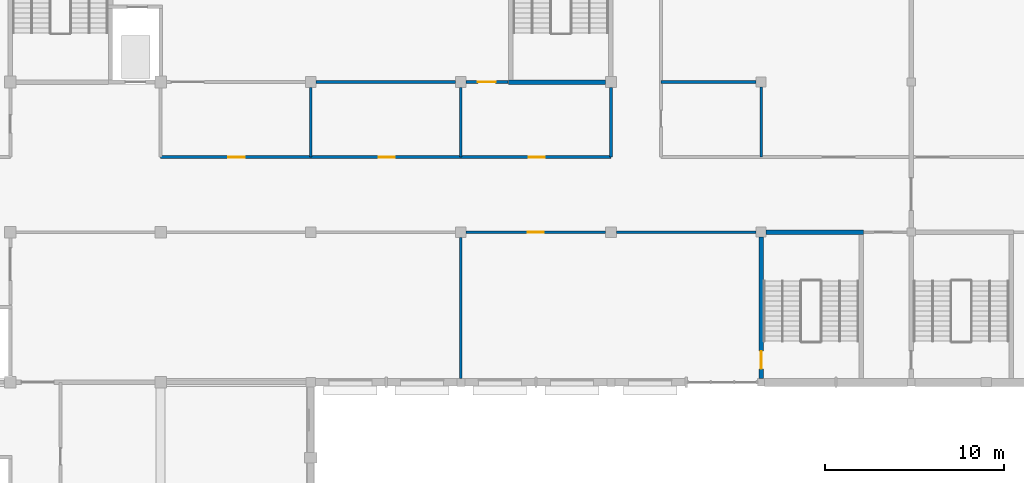
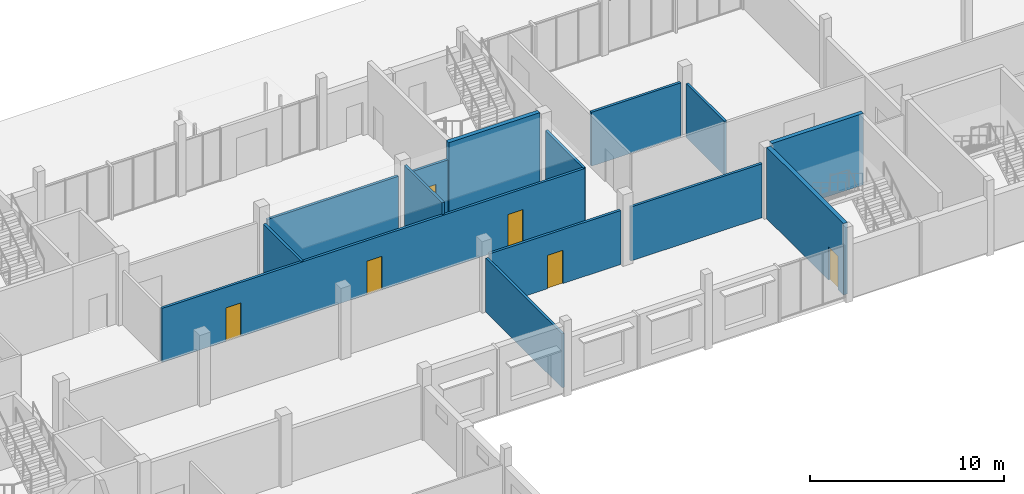
# One storey, part 80 of 101: 14 walls, 6 doors, 6 openings.
"""IFC4 building model written with IfcOpenShell, lengths in metres."""

from ifc_helpers import new_model, si_unit, direction, frame, frame_2d, origin, place, context, subcontext, project, spatial, rectangle, extrude, material, layer, layer_set, type_object, element, fill, save


model = new_model("IFC4")

# Units and contexts
model_context = context("Model", 3, precision=1e-05, world=origin(), true_north=direction((0.0, 1.0)))
body_context = subcontext(model_context, "Body", "Model", "MODEL_VIEW")
ifc_project = project(units=[si_unit("LENGTHUNIT", "METRE"), si_unit("AREAUNIT", "SQUARE_METRE"), si_unit("VOLUMEUNIT", "CUBIC_METRE"), si_unit("PLANEANGLEUNIT", "RADIAN"), si_unit("MASSUNIT", "GRAM", prefix="KILO")], contexts=[model_context])

# Site, building, storey
site_placement = place(None, origin())
site = spatial("IfcSite", under=ifc_project, at=site_placement, CompositionType="ELEMENT")
building_placement = place(site_placement, origin())
building = spatial("IfcBuilding", under=site, at=building_placement, Name="Fescue Hill Polytechnic", CompositionType="ELEMENT")
storey_placement = place(building_placement, frame((0.0, 0.0, 9.0)))
storey = spatial("IfcBuildingStorey", under=building, at=storey_placement, Name="L02", CompositionType="ELEMENT", Elevation=9.0)

# Walls
ifc_material_1 = material(Name="Concrete 40 MPa", Category="concrete")
ifc_layer_1 = layer(ifc_material_1, 0.25)
ifc_layer_set_1 = layer_set([ifc_layer_1], Name="Concrete 40 MPa")
wall_type_1 = type_object("IfcWallType", Name="Core wall 250", PredefinedType="SHEAR", material=ifc_layer_set_1)
wall_1_placement = place(storey_placement, frame((36.27490234375, 126.0, 0.0), z_axis=(0.0, 0.0, 1.0), x_axis=(1.0, 0.0, 0.0)))
element("IfcWall", 1, at=wall_1_placement, inside=storey, type_object=wall_type_1, Name="CW-L02-ST-V5-2-11", PredefinedType="SHEAR", context=body_context, shape_type="SweptSolid", body=[
    extrude(rectangle(XDim=5.425048828125, YDim=0.25, at=frame_2d((2.71240234375, 0.0))), origin(), (0.0, 0.0, 1.0), 4.5),
])
wall_2_placement = place(storey_placement, frame((50.675048828125, 117.60009765625, 0.0), z_axis=(0.0, 0.0, 1.0), x_axis=(1.0, 0.0, 0.0)))
element("IfcWall", 2, at=wall_2_placement, inside=storey, type_object=wall_type_1, Name="CW-L02-ST-V5-4-21", PredefinedType="SHEAR", context=body_context, shape_type="SweptSolid", body=[
    extrude(rectangle(XDim=5.449951171875, YDim=0.25, at=frame_2d((2.72509765625, 0.0))), origin(), (0.0, 0.0, 1.0), 4.5),
])

# Wall, opening, door
wall_3_placement = place(storey_placement, frame((50.39990234375, 109.39990234375, 0.0), z_axis=(0.0, 0.0, 1.0), x_axis=(0.0, 1.0, 0.0)))
wall_3 = element("IfcWall", 3, at=wall_3_placement, inside=storey, type_object=wall_type_1, Name="CW-L02-ST-V5-4-31", PredefinedType="SHEAR", context=body_context, shape_type="SweptSolid", body=[
    extrude(rectangle(XDim=7.925048828125, YDim=0.25, at=frame_2d((3.96240234375, 0.0))), origin(), (0.0, 0.0, 1.0), 4.5),
])
opening_1_placement = place(wall_3_placement, frame((0.550048828125, 0.0, 0.0)))
opening_1 = element("IfcOpeningElement", 4, at=opening_1_placement, cuts=wall_3, Name="Opening D2094", PredefinedType="OPENING", context=body_context, shape_type="SweptSolid", body=[
    extrude(rectangle(XDim=1.0, YDim=2.10009765625, at=frame_2d((0.5, 1.050048828125))), frame((0.0, 0.135009765625, 0.0), z_axis=(0.0, -1.0, 0.0), x_axis=(1.0, 0.0, 0.0)), (0.0, 0.0, 1.0), 0.27001953125),
])
ifc_material_2 = material(Name="Steel fire door", Category="steel")
door_type_1 = type_object("IfcDoorType", Name="Door single swing 1000x2100 stair fire rated", OperationType="NOTDEFINED", PredefinedType="DOOR", material=ifc_material_2)
door_1_placement = place(opening_1_placement, origin())
door_1 = element("IfcDoor", 5, at=door_1_placement, inside=storey, type_object=door_type_1, Name="L02 ST-V5-4 stair door", OperationType="SINGLE_SWING_LEFT", OverallHeight=2.10009765625, OverallWidth=1.0, PredefinedType="DOOR", context=body_context, shape_type="SweptSolid", body=[
    extrude(rectangle(XDim=1.0, YDim=2.10009765625, at=frame_2d((0.5, 1.050048828125))), frame((0.0, 0.02490234375, 0.0), z_axis=(0.0, -1.0, 0.0), x_axis=(1.0, 0.0, 0.0)), (0.0, 0.0, 1.0), 0.050048828125),
])
fill(opening_1, door_1)

ifc_material_3 = material(Name="Gypsum board partition")
ifc_layer_2 = layer(ifc_material_3, 0.14990234375)
ifc_layer_set_2 = layer_set([ifc_layer_2], Name="Gypsum board partition")
wall_type_2 = type_object("IfcWallType", Name="Corridor wall 150 EI 45", PredefinedType="PARTITIONING", material=ifc_layer_set_2)
wall_4_placement = place(storey_placement, frame((33.89990234375, 117.60009765625, 0.0), z_axis=(0.0, 0.0, 1.0), x_axis=(1.0, 0.0, 0.0)))
wall_4 = element("IfcWall", 6, at=wall_4_placement, inside=storey, type_object=wall_type_2, Name="IW-L02-056", PredefinedType="PARTITIONING", context=body_context, shape_type="SweptSolid", body=[
    extrude(rectangle(XDim=7.800048828125, YDim=0.14990234375, at=frame_2d((3.89990234375, 0.0))), origin(), (0.0, 0.0, 1.0), 3.39990234375),
])
opening_2_placement = place(wall_4_placement, frame((3.449951171875, 0.0, 0.0)))
opening_2 = element("IfcOpeningElement", 7, at=opening_2_placement, cuts=wall_4, Name="Opening D2053", PredefinedType="OPENING", context=body_context, shape_type="SweptSolid", body=[
    extrude(rectangle(XDim=0.89990234375, YDim=2.10009765625, at=frame_2d((0.449951171875, 1.050048828125))), frame((0.0, 0.0849609375, 0.0), z_axis=(0.0, -1.0, 0.0), x_axis=(1.0, 0.0, 0.0)), (0.0, 0.0, 1.0), 0.169921875),
])
ifc_material_4 = material(Name="Timber", Category="wood")
door_type_2 = type_object("IfcDoorType", Name="Door single swing 900x2100 FD30S", OperationType="SINGLE_SWING_LEFT", PredefinedType="DOOR", material=ifc_material_4)
door_2_placement = place(opening_2_placement, origin())
door_2 = element("IfcDoor", 8, at=door_2_placement, inside=storey, type_object=door_type_2, Name="Door D2053", OperationType="SINGLE_SWING_LEFT", OverallHeight=2.10009765625, OverallWidth=0.89990234375, PredefinedType="DOOR", context=body_context, shape_type="SweptSolid", body=[
    extrude(rectangle(XDim=0.89990234375, YDim=2.10009765625, at=frame_2d((0.449951171875, 1.050048828125))), frame((0.0, 0.02490234375, 0.0), z_axis=(0.0, -1.0, 0.0), x_axis=(1.0, 0.0, 0.0)), (0.0, 0.0, 1.0), 0.050048828125),
])
fill(opening_2, door_2)

# Wall
wall_5_placement = place(storey_placement, frame((42.300048828125, 117.60009765625, 0.0), z_axis=(0.0, 0.0, 1.0), x_axis=(1.0, 0.0, 0.0)))
element("IfcWall", 9, at=wall_5_placement, inside=storey, type_object=wall_type_2, Name="IW-L02-057", PredefinedType="PARTITIONING", context=body_context, shape_type="SweptSolid", body=[
    extrude(rectangle(XDim=7.824951171875, YDim=0.14990234375, at=frame_2d((3.91259765625, 0.0))), origin(), (0.0, 0.0, 1.0), 3.39990234375),
])

# Wall, openings, doors
wall_6_placement = place(storey_placement, frame((16.800048828125, 121.800048828125, 0.0), z_axis=(0.0, 0.0, 1.0), x_axis=(1.0, 0.0, 0.0)))
wall_6 = element("IfcWall", 10, at=wall_6_placement, inside=storey, type_object=wall_type_2, Name="IW-L02-067", PredefinedType="PARTITIONING", context=body_context, shape_type="SweptSolid", body=[
    extrude(rectangle(XDim=25.199951171875, YDim=0.14990234375, at=frame_2d((12.60009765625, 0.0))), origin(), (0.0, 0.0, 1.0), 3.39990234375),
])
opening_3_placement = place(wall_6_placement, frame((3.800048828125, 0.0, 0.0)))
opening_3 = element("IfcOpeningElement", 11, at=opening_3_placement, cuts=wall_6, Name="Opening D2054", PredefinedType="OPENING", context=body_context, shape_type="SweptSolid", body=[
    extrude(rectangle(XDim=0.89990234375, YDim=2.10009765625, at=frame_2d((0.449951171875, 1.050048828125))), frame((0.0, 0.0849609375, 0.0), z_axis=(0.0, -1.0, 0.0), x_axis=(1.0, 0.0, 0.0)), (0.0, 0.0, 1.0), 0.169921875),
])
opening_4_placement = place(wall_6_placement, frame((12.199951171875, 0.0, 0.0)))
opening_4 = element("IfcOpeningElement", 12, at=opening_4_placement, cuts=wall_6, Name="Opening D2055", PredefinedType="OPENING", context=body_context, shape_type="SweptSolid", body=[
    extrude(rectangle(XDim=0.89990234375, YDim=2.10009765625, at=frame_2d((0.449951171875, 1.050048828125))), frame((0.0, 0.0849609375, 0.0), z_axis=(0.0, -1.0, 0.0), x_axis=(1.0, 0.0, 0.0)), (0.0, 0.0, 1.0), 0.169921875),
])
opening_5_placement = place(wall_6_placement, frame((20.60009765625, 0.0, 0.0)))
opening_5 = element("IfcOpeningElement", 13, at=opening_5_placement, cuts=wall_6, Name="Opening D2056", PredefinedType="OPENING", context=body_context, shape_type="SweptSolid", body=[
    extrude(rectangle(XDim=0.89990234375, YDim=2.10009765625, at=frame_2d((0.449951171875, 1.050048828125))), frame((0.0, 0.0849609375, 0.0), z_axis=(0.0, -1.0, 0.0), x_axis=(1.0, 0.0, 0.0)), (0.0, 0.0, 1.0), 0.169921875),
])
door_3_placement = place(opening_3_placement, origin())
door_3 = element("IfcDoor", 14, at=door_3_placement, inside=storey, type_object=door_type_2, Name="Door D2054", OperationType="SINGLE_SWING_LEFT", OverallHeight=2.10009765625, OverallWidth=0.89990234375, PredefinedType="DOOR", context=body_context, shape_type="SweptSolid", body=[
    extrude(rectangle(XDim=0.89990234375, YDim=2.10009765625, at=frame_2d((0.449951171875, 1.050048828125))), frame((0.0, 0.02490234375, 0.0), z_axis=(0.0, -1.0, 0.0), x_axis=(1.0, 0.0, 0.0)), (0.0, 0.0, 1.0), 0.050048828125),
])
fill(opening_3, door_3)
door_4_placement = place(opening_4_placement, origin())
door_4 = element("IfcDoor", 15, at=door_4_placement, inside=storey, type_object=door_type_2, Name="Door D2055", OperationType="SINGLE_SWING_RIGHT", OverallHeight=2.10009765625, OverallWidth=0.89990234375, PredefinedType="DOOR", context=body_context, shape_type="SweptSolid", body=[
    extrude(rectangle(XDim=0.89990234375, YDim=2.10009765625, at=frame_2d((0.449951171875, 1.050048828125))), frame((0.0, 0.02490234375, 0.0), z_axis=(0.0, -1.0, 0.0), x_axis=(1.0, 0.0, 0.0)), (0.0, 0.0, 1.0), 0.050048828125),
])
fill(opening_4, door_4)
door_5_placement = place(opening_5_placement, origin())
door_5 = element("IfcDoor", 16, at=door_5_placement, inside=storey, type_object=door_type_2, Name="Door D2056", OperationType="SINGLE_SWING_RIGHT", OverallHeight=2.10009765625, OverallWidth=0.89990234375, PredefinedType="DOOR", context=body_context, shape_type="SweptSolid", body=[
    extrude(rectangle(XDim=0.89990234375, YDim=2.10009765625, at=frame_2d((0.449951171875, 1.050048828125))), frame((0.0, 0.02490234375, 0.0), z_axis=(0.0, -1.0, 0.0), x_axis=(1.0, 0.0, 0.0)), (0.0, 0.0, 1.0), 0.050048828125),
])
fill(opening_5, door_5)

# Walls
wall_7_placement = place(storey_placement, frame((42.0, 121.800048828125, 0.0), z_axis=(0.0, 0.0, 1.0), x_axis=(0.0, 1.0, 0.0)))
element("IfcWall", 17, at=wall_7_placement, inside=storey, type_object=wall_type_2, Name="IW-L02-096", PredefinedType="PARTITIONING", context=body_context, shape_type="SweptSolid", body=[
    extrude(rectangle(XDim=3.89990234375, YDim=0.14990234375, at=frame_2d((1.949951171875, 0.0))), origin(), (0.0, 0.0, 1.0), 3.39990234375),
])
ifc_layer_3 = layer(ifc_material_3, 0.14990234375)
ifc_layer_set_3 = layer_set([ifc_layer_3], Name="Gypsum board partition")
wall_type_3 = type_object("IfcWallType", Name="Partition stud 150 acoustic", PredefinedType="PARTITIONING", material=ifc_layer_set_3)
wall_8_placement = place(storey_placement, frame((25.5, 126.0, 0.0), z_axis=(0.0, 0.0, 1.0), x_axis=(1.0, 0.0, 0.0)))
element("IfcWall", 18, at=wall_8_placement, inside=storey, type_object=wall_type_3, Name="IW-L02-073", PredefinedType="PARTITIONING", context=body_context, shape_type="SweptSolid", body=[
    extrude(rectangle(XDim=7.800048828125, YDim=0.14990234375, at=frame_2d((3.89990234375, 0.0))), origin(), (0.0, 0.0, 1.0), 3.39990234375),
])

# Wall, opening, door
wall_9_placement = place(storey_placement, frame((33.89990234375, 126.0, 0.0), z_axis=(0.0, 0.0, 1.0), x_axis=(1.0, 0.0, 0.0)))
wall_9 = element("IfcWall", 19, at=wall_9_placement, inside=storey, type_object=wall_type_3, Name="IW-L02-074", PredefinedType="PARTITIONING", context=body_context, shape_type="SweptSolid", body=[
    extrude(rectangle(XDim=2.35009765625, YDim=0.14990234375, at=frame_2d((1.175048828125, 0.0))), origin(), (0.0, 0.0, 1.0), 3.39990234375),
])
opening_6_placement = place(wall_9_placement, frame((0.64990234375, 0.0, 0.0)))
opening_6 = element("IfcOpeningElement", 20, at=opening_6_placement, cuts=wall_9, Name="Opening D2058", PredefinedType="OPENING", context=body_context, shape_type="SweptSolid", body=[
    extrude(rectangle(XDim=1.0, YDim=2.10009765625, at=frame_2d((0.5, 1.050048828125))), frame((0.0, 0.0849609375, 0.0), z_axis=(0.0, -1.0, 0.0), x_axis=(1.0, 0.0, 0.0)), (0.0, 0.0, 1.0), 0.169921875),
])
door_type_3 = type_object("IfcDoorType", Name="Door single swing 1000x2100", OperationType="SINGLE_SWING_LEFT", PredefinedType="DOOR", material=ifc_material_4)
door_6_placement = place(opening_6_placement, origin())
door_6 = element("IfcDoor", 21, at=door_6_placement, inside=storey, type_object=door_type_3, Name="Door D2058", OperationType="SINGLE_SWING_LEFT", OverallHeight=2.10009765625, OverallWidth=1.0, PredefinedType="DOOR", context=body_context, shape_type="SweptSolid", body=[
    extrude(rectangle(XDim=1.0, YDim=2.10009765625, at=frame_2d((0.5, 1.050048828125))), frame((0.0, 0.02490234375, 0.0), z_axis=(0.0, -1.0, 0.0), x_axis=(1.0, 0.0, 0.0)), (0.0, 0.0, 1.0), 0.050048828125),
])
fill(opening_6, door_6)

# Walls
wall_10_placement = place(storey_placement, frame((44.800048828125, 126.0, 0.0), z_axis=(0.0, 0.0, 1.0), x_axis=(1.0, 0.0, 0.0)))
element("IfcWall", 22, at=wall_10_placement, inside=storey, type_object=wall_type_3, Name="IW-L02-075", PredefinedType="PARTITIONING", context=body_context, shape_type="SweptSolid", body=[
    extrude(rectangle(XDim=5.324951171875, YDim=0.14990234375, at=frame_2d((2.66259765625, 0.0))), origin(), (0.0, 0.0, 1.0), 3.39990234375),
])
wall_11_placement = place(storey_placement, frame((25.199951171875, 121.800048828125, 0.0), z_axis=(0.0, 0.0, 1.0), x_axis=(0.0, 1.0, 0.0)))
element("IfcWall", 23, at=wall_11_placement, inside=storey, type_object=wall_type_3, Name="IW-L02-092", PredefinedType="PARTITIONING", context=body_context, shape_type="SweptSolid", body=[
    extrude(rectangle(XDim=3.89990234375, YDim=0.14990234375, at=frame_2d((1.949951171875, 0.0))), origin(), (0.0, 0.0, 1.0), 3.39990234375),
])
wall_12_placement = place(storey_placement, frame((33.60009765625, 109.425048828125, 0.0), z_axis=(0.0, 0.0, 1.0), x_axis=(0.0, 1.0, 0.0)))
element("IfcWall", 24, at=wall_12_placement, inside=storey, type_object=wall_type_3, Name="IW-L02-094", PredefinedType="PARTITIONING", context=body_context, shape_type="SweptSolid", body=[
    extrude(rectangle(XDim=7.875, YDim=0.14990234375, at=frame_2d((3.9375, 0.0))), origin(), (0.0, 0.0, 1.0), 3.39990234375),
])
wall_13_placement = place(storey_placement, frame((33.60009765625, 121.800048828125, 0.0), z_axis=(0.0, 0.0, 1.0), x_axis=(0.0, 1.0, 0.0)))
element("IfcWall", 25, at=wall_13_placement, inside=storey, type_object=wall_type_3, Name="IW-L02-095", PredefinedType="PARTITIONING", context=body_context, shape_type="SweptSolid", body=[
    extrude(rectangle(XDim=3.89990234375, YDim=0.14990234375, at=frame_2d((1.949951171875, 0.0))), origin(), (0.0, 0.0, 1.0), 4.14990234375),
])
wall_14_placement = place(storey_placement, frame((50.39990234375, 121.800048828125, 0.0), z_axis=(0.0, 0.0, 1.0), x_axis=(0.0, 1.0, 0.0)))
element("IfcWall", 26, at=wall_14_placement, inside=storey, type_object=wall_type_3, Name="IW-L02-098", PredefinedType="PARTITIONING", context=body_context, shape_type="SweptSolid", body=[
    extrude(rectangle(XDim=3.925048828125, YDim=0.14990234375, at=frame_2d((1.96240234375, 0.0))), origin(), (0.0, 0.0, 1.0), 3.39990234375),
])

save(model, "model.ifc")
